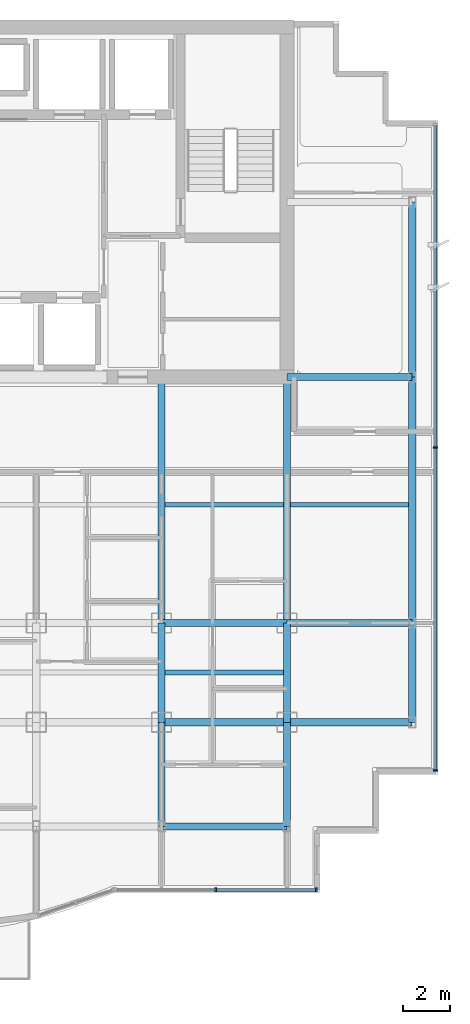
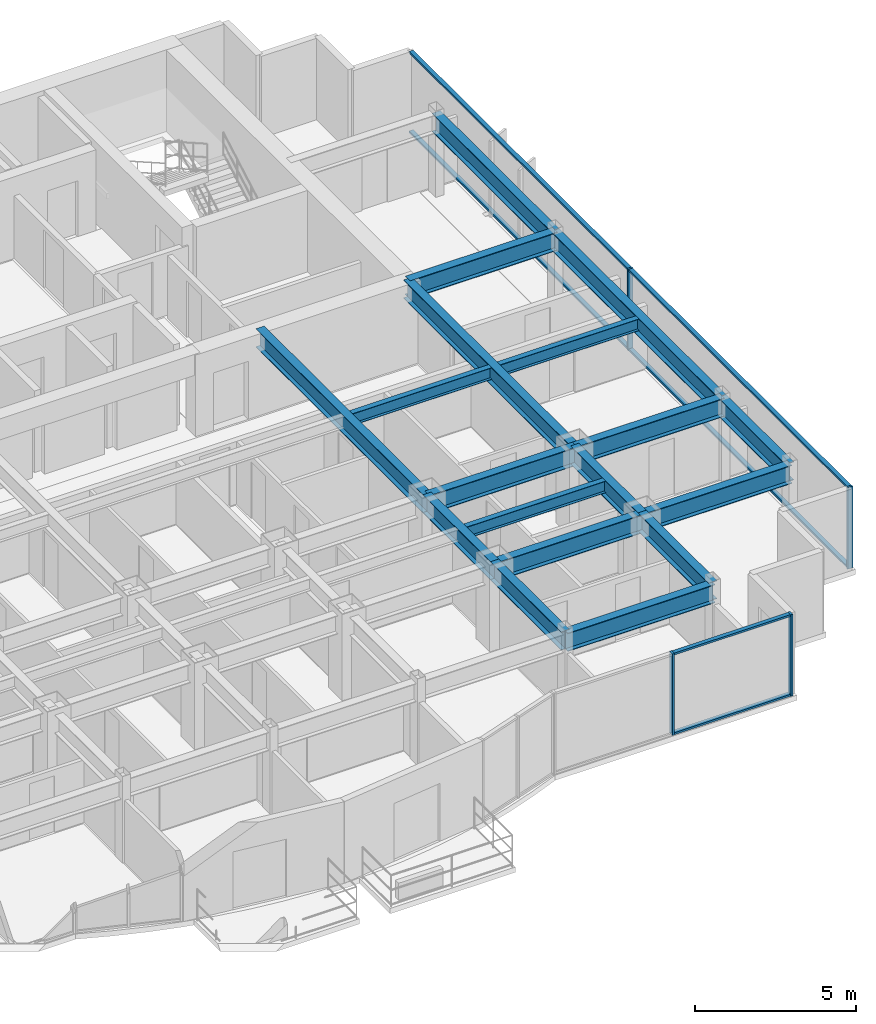
# One storey, part 4 of 13: 18 beams, 10 members, 2 elements without a shape of their own.
"""IFC4 building model written with IfcOpenShell, lengths in metres."""

from ifc_helpers import new_model, si_unit, direction, frame, origin, origin_2d, place, context, subcontext, project, spatial, rectangle, i_section, extrude, source, transform, mapped, material, layer, layer_set, material_profile, profile_set, type_object, element, aggregate, save


model = new_model("IFC4")

# Units and contexts
model_context = context("Model", 3, precision=1e-05, world=origin(), true_north=direction((0.0, 1.0)))
body_context = subcontext(model_context, "Body", "Model", "MODEL_VIEW")
ifc_project = project(units=[si_unit("LENGTHUNIT", "METRE"), si_unit("AREAUNIT", "SQUARE_METRE"), si_unit("VOLUMEUNIT", "CUBIC_METRE"), si_unit("PLANEANGLEUNIT", "RADIAN"), si_unit("MASSUNIT", "GRAM", prefix="KILO")], contexts=[model_context])

# Site, building, storey
site_placement = place(None, origin())
site = spatial("IfcSite", under=ifc_project, at=site_placement, CompositionType="ELEMENT")
building_placement = place(site_placement, origin())
building = spatial("IfcBuilding", under=site, at=building_placement, Name="Qianlan Lanfeng Residences", CompositionType="ELEMENT")
storey_placement = place(building_placement, frame((0.0, 0.0, 178.800048828125)))
storey = spatial("IfcBuildingStorey", under=building, at=storey_placement, Name="L49", CompositionType="ELEMENT", Elevation=178.800048828125)

# Beams
ifc_material_1 = material(Name="Steel SN490B", Category="steel")
ifc_material_profile_1 = material_profile(ifc_material_1, i_section(OverallWidth=0.300048828125, OverallDepth=0.699951171875, WebThickness=0.012939453125, FlangeThickness=0.02392578125, at=origin_2d()), Name="H 700x300x13x24")
ifc_profile_set_1 = profile_set([ifc_material_profile_1], Name="Steel SN490B")
beam_type_1 = type_object("IfcBeamType", Name="G-750", PredefinedType="BEAM", material=ifc_profile_set_1)
beam_1_placement = place(storey_placement, frame((37.10009765625, 10.60009765625, 2.75), z_axis=(1.0, 0.0, 0.0), x_axis=(0.0, 1.0, 0.0)))
element("IfcBeam", 1, at=beam_1_placement, inside=storey, type_object=beam_type_1, Name="Structural beam G-750", PredefinedType="BEAM", context=body_context, shape_type="SweptSolid", body=[
    extrude(i_section(OverallWidth=0.300048828125, OverallDepth=0.699951171875, WebThickness=0.012939453125, FlangeThickness=0.02392578125, at=origin_2d()), origin(), (0.0, 0.0, 1.0), 5.2998046875),
])
beam_2_placement = place(storey_placement, frame((42.39990234375, 10.60009765625, 2.75), z_axis=(1.0, 0.0, 0.0), x_axis=(0.0, 1.0, 0.0)))
element("IfcBeam", 2, at=beam_2_placement, inside=storey, type_object=beam_type_1, Name="Structural beam G-750", PredefinedType="BEAM", context=body_context, shape_type="SweptSolid", body=[
    extrude(i_section(OverallWidth=0.300048828125, OverallDepth=0.699951171875, WebThickness=0.012939453125, FlangeThickness=0.02392578125, at=origin_2d()), origin(), (0.0, 0.0, 1.0), 5.300048828125),
])
beam_3_placement = place(storey_placement, frame((37.10009765625, 14.800048828125, 2.75), z_axis=(1.0, 0.0, 0.0), x_axis=(0.0, 1.0, 0.0)))
element("IfcBeam", 3, at=beam_3_placement, inside=storey, type_object=beam_type_1, Name="Structural beam G-750", PredefinedType="BEAM", context=body_context, shape_type="SweptSolid", body=[
    extrude(i_section(OverallWidth=0.300048828125, OverallDepth=0.699951171875, WebThickness=0.012939453125, FlangeThickness=0.02392578125, at=origin_2d()), origin(), (0.0, 0.0, 1.0), 5.2998046875),
])
for number, where, z_axis, x_axis, name in (
    (4, (42.39990234375, 14.800048828125, 2.75), (1.0, 0.0, 0.0), (0.0, 1.0, 0.0), "Structural beam G-750"),
    (5, (42.39990234375, 25.199951171875, 2.75), (1.0, 0.0, 0.0), (0.0, 1.0, 0.0), "Structural beam G-750"),
):
    element("IfcBeam", number, at=place(storey_placement, frame(where, z_axis=z_axis, x_axis=x_axis)), inside=storey, type_object=beam_type_1, Name=name, PredefinedType="BEAM", context=body_context, shape_type="SweptSolid", body=[
        extrude(i_section(OverallWidth=0.300048828125, OverallDepth=0.699951171875, WebThickness=0.012939453125, FlangeThickness=0.02392578125, at=origin_2d()), origin(), (0.0, 0.0, 1.0), 5.300048828125),
    ])
beam_4_placement = place(storey_placement, frame((37.10009765625, 6.199951171875, 2.75), z_axis=(0.0, 1.0, 0.0), x_axis=(-1.0, 0.0, 0.0)))
element("IfcBeam", 6, at=beam_4_placement, inside=storey, type_object=beam_type_1, Name="Structural beam G-750", PredefinedType="BEAM", context=body_context, shape_type="SweptSolid", body=[
    extrude(i_section(OverallWidth=0.300048828125, OverallDepth=0.699951171875, WebThickness=0.012939453125, FlangeThickness=0.02392578125, at=origin_2d()), origin(), (0.0, 0.0, 1.0), 4.400146484375),
])
beam_5_placement = place(storey_placement, frame((37.10009765625, 10.60009765625, 2.75), z_axis=(0.0, 1.0, 0.0), x_axis=(-1.0, 0.0, 0.0)))
element("IfcBeam", 7, at=beam_5_placement, inside=storey, type_object=beam_type_1, Name="Structural beam G-750", PredefinedType="BEAM", context=body_context, shape_type="SweptSolid", body=[
    extrude(i_section(OverallWidth=0.300048828125, OverallDepth=0.699951171875, WebThickness=0.012939453125, FlangeThickness=0.02392578125, at=origin_2d()), origin(), (0.0, 0.0, 1.0), 4.199951171875),
])
beam_6_placement = place(storey_placement, frame((37.10009765625, 14.800048828125, 2.75), z_axis=(0.0, 1.0, 0.0), x_axis=(-1.0, 0.0, 0.0)))
element("IfcBeam", 8, at=beam_6_placement, inside=storey, type_object=beam_type_1, Name="Structural beam G-750", PredefinedType="BEAM", context=body_context, shape_type="SweptSolid", body=[
    extrude(i_section(OverallWidth=0.300048828125, OverallDepth=0.699951171875, WebThickness=0.012939453125, FlangeThickness=0.02392578125, at=origin_2d()), origin(), (0.0, 0.0, 1.0), 10.39990234375),
])
beam_7_placement = place(storey_placement, frame((42.39990234375, 6.199951171875, 2.75), z_axis=(0.0, 1.0, 0.0), x_axis=(-1.0, 0.0, 0.0)))
element("IfcBeam", 9, at=beam_7_placement, inside=storey, type_object=beam_type_1, Name="Structural beam G-750", PredefinedType="BEAM", context=body_context, shape_type="SweptSolid", body=[
    extrude(i_section(OverallWidth=0.300048828125, OverallDepth=0.699951171875, WebThickness=0.012939453125, FlangeThickness=0.02392578125, at=origin_2d()), origin(), (0.0, 0.0, 1.0), 4.400146484375),
])
beam_8_placement = place(storey_placement, frame((42.39990234375, 10.60009765625, 2.75), z_axis=(0.0, 1.0, 0.0), x_axis=(-1.0, 0.0, 0.0)))
element("IfcBeam", 10, at=beam_8_placement, inside=storey, type_object=beam_type_1, Name="Structural beam G-750", PredefinedType="BEAM", context=body_context, shape_type="SweptSolid", body=[
    extrude(i_section(OverallWidth=0.300048828125, OverallDepth=0.699951171875, WebThickness=0.012939453125, FlangeThickness=0.02392578125, at=origin_2d()), origin(), (0.0, 0.0, 1.0), 4.199951171875),
])
beam_9_placement = place(storey_placement, frame((42.39990234375, 14.800048828125, 2.75), z_axis=(0.0, 1.0, 0.0), x_axis=(-1.0, 0.0, 0.0)))
element("IfcBeam", 11, at=beam_9_placement, inside=storey, type_object=beam_type_1, Name="Structural beam G-750", PredefinedType="BEAM", context=body_context, shape_type="SweptSolid", body=[
    extrude(i_section(OverallWidth=0.300048828125, OverallDepth=0.699951171875, WebThickness=0.012939453125, FlangeThickness=0.02392578125, at=origin_2d()), origin(), (0.0, 0.0, 1.0), 10.39990234375),
])
ifc_material_profile_2 = material_profile(ifc_material_1, i_section(OverallWidth=0.199951171875, OverallDepth=0.449951171875, WebThickness=0.009033203125, FlangeThickness=0.013916015625, at=origin_2d()), Name="H 450x200x9x14")
ifc_profile_set_2 = profile_set([ifc_material_profile_2], Name="Steel SN490B")
beam_type_2 = type_object("IfcBeamType", Name="J-450", PredefinedType="JOIST", material=ifc_profile_set_2)
for number, where, z_axis, x_axis, name in (
    (12, (37.25, 12.699951171875, 2.875), (1.0, 0.0, 0.0), (0.0, 1.0, 0.0), "Structural beam J-450"),
    (13, (37.25, 19.800048828125, 2.875), (1.0, 0.0, 0.0), (0.0, 1.0, 0.0), "Structural beam J-450"),
    (14, (42.550048828125, 19.800048828125, 2.875), (1.0, 0.0, 0.0), (0.0, 1.0, 0.0), "Structural beam J-450"),
):
    element("IfcBeam", number, at=place(storey_placement, frame(where, z_axis=z_axis, x_axis=x_axis)), inside=storey, type_object=beam_type_2, Name=name, PredefinedType="JOIST", context=body_context, shape_type="SweptSolid", body=[
        extrude(i_section(OverallWidth=0.199951171875, OverallDepth=0.449951171875, WebThickness=0.009033203125, FlangeThickness=0.013916015625, at=origin_2d()), origin(), (0.0, 0.0, 1.0), 5.0),
    ])
ifc_material_profile_3 = material_profile(ifc_material_1, i_section(OverallWidth=0.300048828125, OverallDepth=0.699951171875, WebThickness=0.012939453125, FlangeThickness=0.02392578125, at=origin_2d()), Name="H 700x300x13x24")
ifc_profile_set_3 = profile_set([ifc_material_profile_3], Name="Steel SN490B")
beam_type_3 = type_object("IfcBeamType", Name="SG-750", PredefinedType="SPANDREL", material=ifc_profile_set_3)
beam_10_placement = place(storey_placement, frame((37.10009765625, 6.199951171875, 2.739990234375), z_axis=(1.0, 0.0, 0.0), x_axis=(0.0, 1.0, 0.0)))
element("IfcBeam", 15, at=beam_10_placement, inside=storey, type_object=beam_type_3, Name="Structural beam SG-750", PredefinedType="SPANDREL", context=body_context, shape_type="SweptSolid", body=[
    extrude(i_section(OverallWidth=0.300048828125, OverallDepth=0.699951171875, WebThickness=0.012939453125, FlangeThickness=0.02392578125, at=origin_2d()), origin(), (0.0, 0.0, 1.0), 5.2998046875),
])
beam_11_placement = place(storey_placement, frame((47.699951171875, 10.60009765625, 2.739990234375), z_axis=(0.0, 1.0, 0.0), x_axis=(-1.0, 0.0, 0.0)))
element("IfcBeam", 16, at=beam_11_placement, inside=storey, type_object=beam_type_3, Name="Structural beam SG-750", PredefinedType="SPANDREL", context=body_context, shape_type="SweptSolid", body=[
    extrude(i_section(OverallWidth=0.300048828125, OverallDepth=0.699951171875, WebThickness=0.012939453125, FlangeThickness=0.02392578125, at=origin_2d()), origin(), (0.0, 0.0, 1.0), 4.199951171875),
])
beam_12_placement = place(storey_placement, frame((47.699951171875, 14.800048828125, 2.739990234375), z_axis=(0.0, 1.0, 0.0), x_axis=(-1.0, 0.0, 0.0)))
element("IfcBeam", 17, at=beam_12_placement, inside=storey, type_object=beam_type_3, Name="Structural beam SG-750", PredefinedType="SPANDREL", context=body_context, shape_type="SweptSolid", body=[
    extrude(i_section(OverallWidth=0.300048828125, OverallDepth=0.699951171875, WebThickness=0.012939453125, FlangeThickness=0.02392578125, at=origin_2d()), origin(), (0.0, 0.0, 1.0), 10.39990234375),
])
beam_13_placement = place(storey_placement, frame((47.699951171875, 25.199951171875, 2.739990234375), z_axis=(0.0, 1.0, 0.0), x_axis=(-1.0, 0.0, 0.0)))
element("IfcBeam", 18, at=beam_13_placement, inside=storey, type_object=beam_type_3, Name="Structural beam SG-750", PredefinedType="SPANDREL", context=body_context, shape_type="SweptSolid", body=[
    extrude(i_section(OverallWidth=0.300048828125, OverallDepth=0.699951171875, WebThickness=0.012939453125, FlangeThickness=0.02392578125, at=origin_2d()), origin(), (0.0, 0.0, 1.0), 7.400146484375),
])

# Curtain wall, members
ifc_material_2 = material(Name="Anodised Bronze Aluminium 6063-T6", Category="aluminium")
ifc_layer = layer(ifc_material_2, 0.219970703125)
ifc_layer_set = layer_set([ifc_layer], Name="Anodised Bronze Aluminium 6063-T6")
curtain_wall_type = type_object("IfcCurtainWallType", Name="CW-04", PredefinedType="NOTDEFINED", material=ifc_layer_set)
curtain_wall_1_placement = place(storey_placement, origin())
curtain_wall_1 = element("IfcCurtainWall", 19, at=curtain_wall_1_placement, inside=storey, type_object=curtain_wall_type, Name="L49 Unitised Curtain Wall CWR-L49-04 (CW-04)", PredefinedType="NOTDEFINED")
ifc_material_profile_4 = material_profile(ifc_material_2, rectangle(XDim=0.074951171875, YDim=0.14990234375, at=origin_2d()), Name="ALU TRANSOM 75x150")
ifc_profile_set_4 = profile_set([ifc_material_profile_4], Name="Anodised Bronze Aluminium 6063-T6")
member_type_1 = type_object("IfcMemberType", Name="CWT-150", PredefinedType="USERDEFINED", material=ifc_profile_set_4)
shared_shape_1 = source(origin(), body_context, "Body", "SweptSolid", [
    extrude(rectangle(XDim=0.074951171875, YDim=0.14990234375, at=origin_2d()), origin(), (0.0, 0.0, 1.0), 4.178955078125),
])
member_1_placement = place(storey_placement, frame((39.426025390625, 3.52001953125, 0.037353515625), z_axis=(1.0, 0.0, 0.0), x_axis=(0.0, 0.0, 1.0)))
member_1 = element("IfcMember", 20, at=member_1_placement, type_object=member_type_1, Name="CWR-L49-04 Transom 2-BOT", ObjectType="TRANSOM", PredefinedType="USERDEFINED", context=body_context, shape_type="MappedRepresentation", body=[
    mapped(shared_shape_1, transform((0.0, 0.0, 0.0), scale=1.0)),
])
member_2_placement = place(storey_placement, frame((39.426025390625, 3.52001953125, 3.0625), z_axis=(1.0, 0.0, 0.0), x_axis=(0.0, 0.0, 1.0)))
member_2 = element("IfcMember", 21, at=member_2_placement, type_object=member_type_1, Name="CWR-L49-04 Transom 2-TOP", ObjectType="TRANSOM", PredefinedType="USERDEFINED", context=body_context, shape_type="MappedRepresentation", body=[
    mapped(shared_shape_1, transform((0.0, 0.0, 0.0), scale=1.0)),
])

curtain_wall_2_placement = place(storey_placement, origin())
curtain_wall_2 = element("IfcCurtainWall", 22, at=curtain_wall_2_placement, inside=storey, type_object=curtain_wall_type, Name="L49 Unitised Curtain Wall CWR-L49-05 (CW-04)", PredefinedType="NOTDEFINED")
shared_shape_2 = source(origin(), body_context, "Body", "SweptSolid", [
    extrude(rectangle(XDim=0.074951171875, YDim=0.14990234375, at=origin_2d()), origin(), (0.0, 0.0, 1.0), 13.592529296875),
])
member_3_placement = place(storey_placement, frame((48.679931640625, 8.594970703125, 0.037353515625), z_axis=(0.0, 1.0, 0.0), x_axis=(0.0, 0.0, 1.0)))
member_3 = element("IfcMember", 23, at=member_3_placement, type_object=member_type_1, Name="CWR-L49-05 Transom 1-BOT", ObjectType="TRANSOM", PredefinedType="USERDEFINED", context=body_context, shape_type="MappedRepresentation", body=[
    mapped(shared_shape_2, transform((0.0, 0.0, 0.0), scale=1.0)),
])
member_4_placement = place(storey_placement, frame((48.679931640625, 8.594970703125, 3.0625), z_axis=(0.0, 1.0, 0.0), x_axis=(0.0, 0.0, 1.0)))
member_4 = element("IfcMember", 24, at=member_4_placement, type_object=member_type_1, Name="CWR-L49-05 Transom 1-TOP", ObjectType="TRANSOM", PredefinedType="USERDEFINED", context=body_context, shape_type="MappedRepresentation", body=[
    mapped(shared_shape_2, transform((0.0, 0.0, 0.0), scale=1.0)),
])
member_5_placement = place(storey_placement, frame((48.679931640625, 22.262451171875, 0.037353515625), z_axis=(0.0, 1.0, 0.0), x_axis=(0.0, 0.0, 1.0)))
member_5 = element("IfcMember", 25, at=member_5_placement, type_object=member_type_1, Name="CWR-L49-05 Transom 2-BOT", ObjectType="TRANSOM", PredefinedType="USERDEFINED", context=body_context, shape_type="MappedRepresentation", body=[
    mapped(shared_shape_2, transform((0.0, 0.0, 0.0), scale=1.0)),
])
member_6_placement = place(storey_placement, frame((48.679931640625, 22.262451171875, 3.0625), z_axis=(0.0, 1.0, 0.0), x_axis=(0.0, 0.0, 1.0)))
member_6 = element("IfcMember", 26, at=member_6_placement, type_object=member_type_1, Name="CWR-L49-05 Transom 2-TOP", ObjectType="TRANSOM", PredefinedType="USERDEFINED", context=body_context, shape_type="MappedRepresentation", body=[
    mapped(shared_shape_2, transform((0.0, 0.0, 0.0), scale=1.0)),
])

# Member
ifc_material_profile_5 = material_profile(ifc_material_2, rectangle(XDim=0.074951171875, YDim=0.179931640625, at=origin_2d()), Name="ALU MULLION 75x180")
ifc_profile_set_5 = profile_set([ifc_material_profile_5], Name="Anodised Bronze Aluminium 6063-T6")
member_type_2 = type_object("IfcMemberType", Name="CWM-180", PredefinedType="MULLION", material=ifc_profile_set_5)
shared_shape_3 = source(origin(), body_context, "Body", "SweptSolid", [
    extrude(rectangle(XDim=0.074951171875, YDim=0.179931640625, at=origin_2d()), origin(), (0.0, 0.0, 1.0), 3.099853515625),
])
member_7_placement = place(storey_placement, frame((39.388427734375, 3.52001953125, 0.0), z_axis=(0.0, 0.0, 1.0), x_axis=(1.0, 0.0, 0.0)))
member_7 = element("IfcMember", 27, at=member_7_placement, type_object=member_type_2, Name="CWR-L49-04 Mullion 2", PredefinedType="MULLION", context=body_context, shape_type="MappedRepresentation", body=[
    mapped(shared_shape_3, transform((0.0, 0.0, 0.0), scale=1.0)),
])

member_8_placement = place(storey_placement, frame((43.642578125, 3.52001953125, 0.0), z_axis=(0.0, 0.0, 1.0), x_axis=(1.0, 0.0, 0.0)))
member_8 = element("IfcMember", 28, at=member_8_placement, type_object=member_type_2, Name="CWR-L49-04 Mullion 3", PredefinedType="MULLION", context=body_context, shape_type="MappedRepresentation", body=[
    mapped(shared_shape_3, transform((0.0, 0.0, 0.0), scale=1.0)),
])

aggregate(curtain_wall_1, [member_7, member_8, member_1, member_2])

member_9_placement = place(storey_placement, frame((48.679931640625, 8.5576171875, 0.0), z_axis=(0.0, 0.0, 1.0), x_axis=(0.0, 1.0, 0.0)))
member_9 = element("IfcMember", 29, at=member_9_placement, type_object=member_type_2, Name="CWR-L49-05 Mullion 1", PredefinedType="MULLION", context=body_context, shape_type="MappedRepresentation", body=[
    mapped(shared_shape_3, transform((0.0, 0.0, 0.0), scale=1.0)),
])

member_10_placement = place(storey_placement, frame((48.679931640625, 22.22509765625, 0.0), z_axis=(0.0, 0.0, 1.0), x_axis=(0.0, 1.0, 0.0)))
member_10 = element("IfcMember", 30, at=member_10_placement, type_object=member_type_2, Name="CWR-L49-05 Mullion 2", PredefinedType="MULLION", context=body_context, shape_type="MappedRepresentation", body=[
    mapped(shared_shape_3, transform((0.0, 0.0, 0.0), scale=1.0)),
])

aggregate(curtain_wall_2, [member_9, member_10, member_3, member_4, member_5, member_6])

save(model, "model.ifc")
